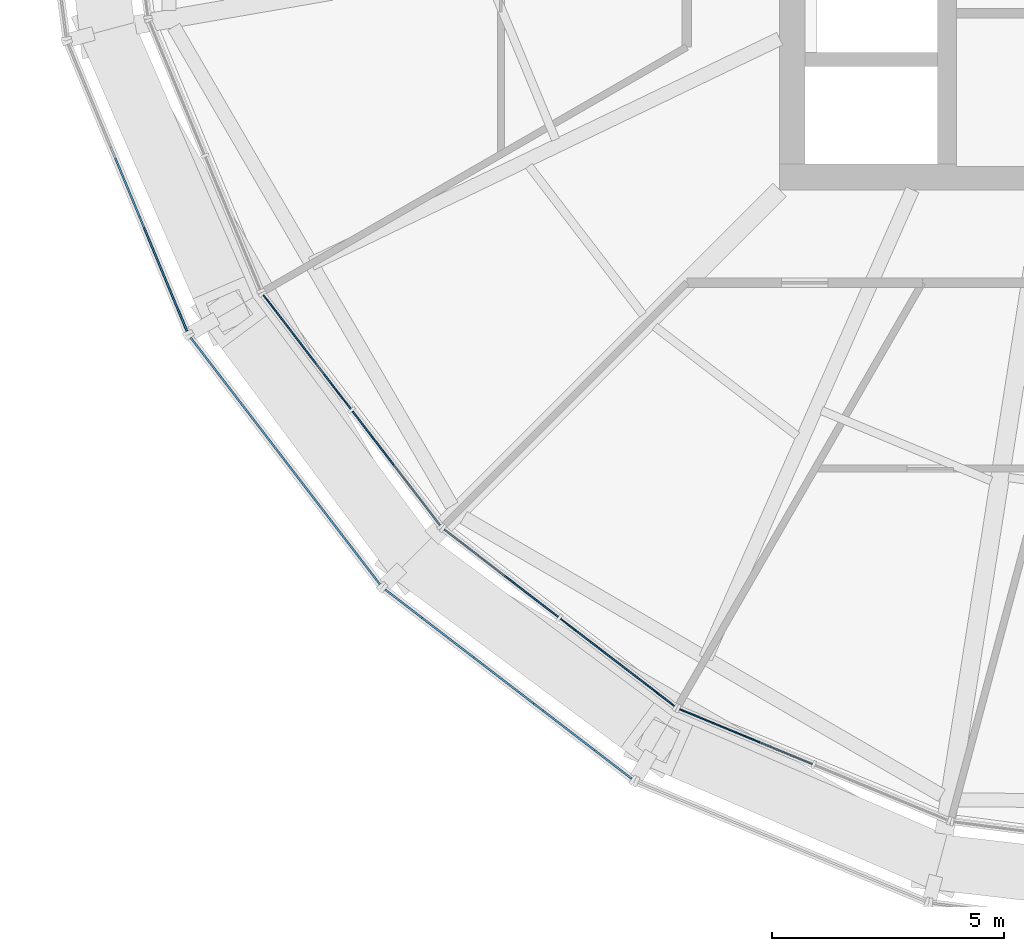
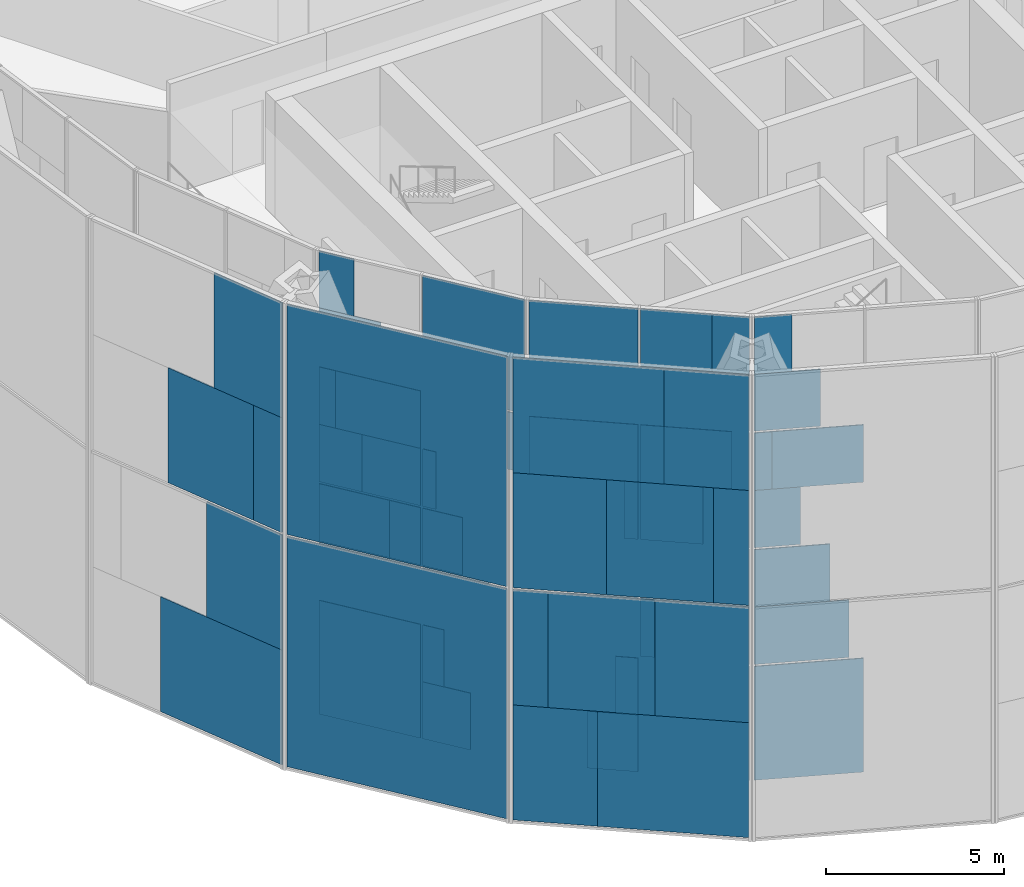
# One storey, part 12 of 28: 63 plates, 6 elements without a shape of their own.
"""IFC4 building model written with IfcOpenShell, lengths in metres."""

from ifc_helpers import new_model, si_unit, direction, frame, origin, origin_2d, place, context, subcontext, project, spatial, rectangle, extrude, material, layer, layer_set, type_object, element, aggregate, save


model = new_model("IFC4")

# Units and contexts
model_context = context("Model", 3, precision=1e-05, world=origin(), true_north=direction((0.0, 1.0)))
body_context = subcontext(model_context, "Body", "Model", "MODEL_VIEW")
ifc_project = project(units=[si_unit("LENGTHUNIT", "METRE"), si_unit("AREAUNIT", "SQUARE_METRE"), si_unit("VOLUMEUNIT", "CUBIC_METRE"), si_unit("PLANEANGLEUNIT", "RADIAN"), si_unit("MASSUNIT", "GRAM", prefix="KILO")], contexts=[model_context])

# Site, building, storey
site_placement = place(None, origin())
site = spatial("IfcSite", under=ifc_project, at=site_placement, CompositionType="ELEMENT")
building_placement = place(site_placement, origin())
building = spatial("IfcBuilding", under=site, at=building_placement, Name="Golbaran Civic Tower", CompositionType="ELEMENT")
storey_placement = place(building_placement, frame((0.0, 0.0, 134.0)))
storey = spatial("IfcBuildingStorey", under=building, at=storey_placement, Name="L32", CompositionType="ELEMENT", Elevation=134.0)

# Curtain wall, plates
ifc_material_1 = material(Name="Aluminium and glass", Category="aluminium")
curtain_wall_type_1 = type_object("IfcCurtainWallType", Name="INNER SKIN CURTAIN WALL", PredefinedType="NOTDEFINED", material=ifc_material_1)
curtain_wall_1_placement = place(storey_placement, origin())
curtain_wall_1 = element("IfcCurtainWall", 1, at=curtain_wall_1_placement, inside=storey, type_object=curtain_wall_type_1, Name="Inner skin L32 facet 15 CW1", ObjectType="INNER SKIN", PredefinedType="USERDEFINED")
ifc_material_2 = material(Name="Clear insulating glass", Category="glass")
ifc_layer_1 = layer(ifc_material_2, 0.031982421875, Name="Clear insulating glass")
ifc_layer_set_1 = layer_set([ifc_layer_1], Name="Clear insulating glass")
plate_type_1 = type_object("IfcPlateType", Name="INNER SKIN CURTAIN WALL GLAZED PANEL", PredefinedType="CURTAIN_PANEL", material=ifc_layer_set_1)
plate_1_placement = place(storey_placement, frame((-20.17236328125, -13.489990234375, 0.06494140625), z_axis=(0.0, 0.0, 1.0), x_axis=(0.60876142905, -0.793353340259, 0.0)))
plate_1 = element("IfcPlate", 2, at=plate_1_placement, type_object=plate_type_1, Name="CW1 panel 1.1", PredefinedType="CURTAIN_PANEL", context=body_context, shape_type="SweptSolid", body=[
    extrude(rectangle(XDim=3.090576171875, YDim=0.031982421875, at=origin_2d()), origin(), (0.0, 0.0, 1.0), 3.902587890625),
])
plate_2_placement = place(storey_placement, frame((-20.294677734375, -13.330810546875, 4.03271484375), z_axis=(0.0, 0.0, 1.0), x_axis=(0.60876142905, -0.793353340259, 0.0)))
plate_2 = element("IfcPlate", 3, at=plate_2_placement, type_object=plate_type_1, Name="CW1 panel 1.2 part 1", PredefinedType="CURTAIN_PANEL", context=body_context, shape_type="SweptSolid", body=[
    extrude(rectangle(XDim=2.68896484375, YDim=0.031982421875, at=origin_2d()), origin(), (0.0, 0.0, 1.0), 1.967529296875),
])
plate_3_placement = place(storey_placement, frame((-20.45849609375, -13.117431640625, 6.0), z_axis=(0.0, 0.0, 1.0), x_axis=(0.60876142905, -0.793353340259, 0.0)))
plate_3 = element("IfcPlate", 4, at=plate_3_placement, type_object=plate_type_1, Name="CW1 panel 1.2 part 3", PredefinedType="CURTAIN_PANEL", context=body_context, shape_type="SweptSolid", body=[
    extrude(rectangle(XDim=2.15087890625, YDim=0.031982421875, at=origin_2d()), origin(), (0.0, 0.0, 1.0), 1.967529296875),
])
plate_4_placement = place(storey_placement, frame((-20.71337890625, -12.784912109375, 8.03271484375), z_axis=(0.0, 0.0, 1.0), x_axis=(0.60876142905, -0.793353340259, 0.0)))
plate_4 = element("IfcPlate", 5, at=plate_4_placement, type_object=plate_type_1, Name="CW1 panel 1.3 part 1", PredefinedType="CURTAIN_PANEL", context=body_context, shape_type="SweptSolid", body=[
    extrude(rectangle(XDim=1.31298828125, YDim=0.031982421875, at=origin_2d()), origin(), (0.0, 0.0, 1.0), 1.967529296875),
])
plate_5_placement = place(storey_placement, frame((-20.960693359375, -12.462890625, 10.0), z_axis=(0.0, 0.0, 1.0), x_axis=(0.60876142905, -0.793353340259, 0.0)))
plate_5 = element("IfcPlate", 6, at=plate_5_placement, type_object=plate_type_1, Name="CW1 panel 1.3 part 3", PredefinedType="CURTAIN_PANEL", context=body_context, shape_type="SweptSolid", body=[
    extrude(rectangle(XDim=0.5009765625, YDim=0.031982421875, at=origin_2d()), origin(), (0.0, 0.0, 1.0), 1.967529296875),
])
plate_6_placement = place(storey_placement, frame((-18.75048828125, -15.34326171875, 0.06494140625), z_axis=(0.0, 0.0, 1.0), x_axis=(0.60876142905, -0.793353340259, 0.0)))
plate_6 = element("IfcPlate", 7, at=plate_6_placement, type_object=plate_type_1, Name="CW1 panel 2.1 part 1", PredefinedType="CURTAIN_PANEL", context=body_context, shape_type="SweptSolid", body=[
    extrude(rectangle(XDim=1.450927734375, YDim=0.031982421875, at=origin_2d()), origin(), (0.0, 0.0, 1.0), 1.951171875),
])
plate_7_placement = place(storey_placement, frame((-18.995361328125, -15.02392578125, 2.016357421875), z_axis=(0.0, 0.0, 1.0), x_axis=(0.60876142905, -0.793353340259, 0.0)))
plate_7 = element("IfcPlate", 8, at=plate_7_placement, type_object=plate_type_1, Name="CW1 panel 2.1 part 3", PredefinedType="CURTAIN_PANEL", context=body_context, shape_type="SweptSolid", body=[
    extrude(rectangle(XDim=0.64599609375, YDim=0.031982421875, at=origin_2d()), origin(), (0.0, 0.0, 1.0), 1.951171875),
])
plate_8_placement = place(storey_placement, frame((-18.25146484375, -15.99365234375, 10.0), z_axis=(0.0, 0.0, 1.0), x_axis=(0.60876142905, -0.793353340259, 0.0)))
plate_8 = element("IfcPlate", 9, at=plate_8_placement, type_object=plate_type_1, Name="CW1 panel 2.3 part 3", PredefinedType="CURTAIN_PANEL", context=body_context, shape_type="SweptSolid", body=[
    extrude(rectangle(XDim=3.090576171875, YDim=0.031982421875, at=origin_2d()), origin(), (0.0, 0.0, 1.0), 1.967529296875),
])
plate_9_placement = place(storey_placement, frame((-18.25146484375, -15.99365234375, 12.0322265625), z_axis=(0.0, 0.0, 1.0), x_axis=(0.60876142905, -0.793353340259, 0.0)))
plate_9 = element("IfcPlate", 10, at=plate_9_placement, type_object=plate_type_1, Name="CW1 panel 2.4", PredefinedType="CURTAIN_PANEL", context=body_context, shape_type="SweptSolid", body=[
    extrude(rectangle(XDim=3.090576171875, YDim=0.031982421875, at=origin_2d()), origin(), (0.0, 0.0, 1.0), 3.902587890625),
])

curtain_wall_2_placement = place(storey_placement, origin())
curtain_wall_2 = element("IfcCurtainWall", 11, at=curtain_wall_2_placement, inside=storey, type_object=curtain_wall_type_1, Name="Inner skin L32 facet 16 CW1", ObjectType="INNER SKIN", PredefinedType="USERDEFINED")
plate_10_placement = place(storey_placement, frame((-15.343505859375, -18.750244140625, 0.06494140625), z_axis=(0.0, 0.0, 1.0), x_axis=(0.793353340259, -0.60876142905, 0.0)))
plate_10 = element("IfcPlate", 12, at=plate_10_placement, type_object=plate_type_1, Name="CW1 panel 1.1 part 2", PredefinedType="CURTAIN_PANEL", context=body_context, shape_type="SweptSolid", body=[
    extrude(rectangle(XDim=1.45166015625, YDim=0.031982421875, at=origin_2d()), origin(), (0.0, 0.0, 1.0), 1.951171875),
])
plate_11_placement = place(storey_placement, frame((-15.024169921875, -18.995361328125, 2.016357421875), z_axis=(0.0, 0.0, 1.0), x_axis=(0.793353340259, -0.60876142905, 0.0)))
plate_11 = element("IfcPlate", 13, at=plate_11_placement, type_object=plate_type_1, Name="CW1 panel 1.1 part 4", PredefinedType="CURTAIN_PANEL", context=body_context, shape_type="SweptSolid", body=[
    extrude(rectangle(XDim=0.646484375, YDim=0.031982421875, at=origin_2d()), origin(), (0.0, 0.0, 1.0), 1.951171875),
])
plate_12_placement = place(storey_placement, frame((-15.99365234375, -18.25146484375, 10.0), z_axis=(0.0, 0.0, 1.0), x_axis=(0.793353340259, -0.60876142905, 0.0)))
plate_12 = element("IfcPlate", 14, at=plate_12_placement, type_object=plate_type_1, Name="CW1 panel 1.3 part 3", PredefinedType="CURTAIN_PANEL", context=body_context, shape_type="SweptSolid", body=[
    extrude(rectangle(XDim=3.090576171875, YDim=0.031982421875, at=origin_2d()), origin(), (0.0, 0.0, 1.0), 1.967529296875),
])
plate_13_placement = place(storey_placement, frame((-15.99365234375, -18.25146484375, 12.0322265625), z_axis=(0.0, 0.0, 1.0), x_axis=(0.793353340259, -0.60876142905, 0.0)))
plate_13 = element("IfcPlate", 15, at=plate_13_placement, type_object=plate_type_1, Name="CW1 panel 1.4", PredefinedType="CURTAIN_PANEL", context=body_context, shape_type="SweptSolid", body=[
    extrude(rectangle(XDim=3.090576171875, YDim=0.031982421875, at=origin_2d()), origin(), (0.0, 0.0, 1.0), 3.902587890625),
])
plate_14_placement = place(storey_placement, frame((-13.489990234375, -20.17236328125, 0.06494140625), z_axis=(0.0, 0.0, 1.0), x_axis=(0.793353340259, -0.60876142905, 0.0)))
plate_14 = element("IfcPlate", 16, at=plate_14_placement, type_object=plate_type_1, Name="CW1 panel 2.1", PredefinedType="CURTAIN_PANEL", context=body_context, shape_type="SweptSolid", body=[
    extrude(rectangle(XDim=3.090576171875, YDim=0.031982421875, at=origin_2d()), origin(), (0.0, 0.0, 1.0), 3.902587890625),
])
plate_15_placement = place(storey_placement, frame((-13.3310546875, -20.29443359375, 4.03271484375), z_axis=(0.0, 0.0, 1.0), x_axis=(0.793353340259, -0.60876142905, 0.0)))
plate_15 = element("IfcPlate", 17, at=plate_15_placement, type_object=plate_type_1, Name="CW1 panel 2.2 part 2", PredefinedType="CURTAIN_PANEL", context=body_context, shape_type="SweptSolid", body=[
    extrude(rectangle(XDim=2.689697265625, YDim=0.031982421875, at=origin_2d()), origin(), (0.0, 0.0, 1.0), 1.967529296875),
])
plate_16_placement = place(storey_placement, frame((-13.11767578125, -20.458251953125, 6.0), z_axis=(0.0, 0.0, 1.0), x_axis=(0.793353340259, -0.60876142905, 0.0)))
plate_16 = element("IfcPlate", 18, at=plate_16_placement, type_object=plate_type_1, Name="CW1 panel 2.2 part 4", PredefinedType="CURTAIN_PANEL", context=body_context, shape_type="SweptSolid", body=[
    extrude(rectangle(XDim=2.151611328125, YDim=0.031982421875, at=origin_2d()), origin(), (0.0, 0.0, 1.0), 1.967529296875),
])
plate_17_placement = place(storey_placement, frame((-12.78466796875, -20.713623046875, 8.03271484375), z_axis=(0.0, 0.0, 1.0), x_axis=(0.793353340259, -0.60876142905, 0.0)))
plate_17 = element("IfcPlate", 19, at=plate_17_placement, type_object=plate_type_1, Name="CW1 panel 2.3 part 2", PredefinedType="CURTAIN_PANEL", context=body_context, shape_type="SweptSolid", body=[
    extrude(rectangle(XDim=1.3125, YDim=0.031982421875, at=origin_2d()), origin(), (0.0, 0.0, 1.0), 1.967529296875),
])
plate_18_placement = place(storey_placement, frame((-12.463134765625, -20.96044921875, 10.0), z_axis=(0.0, 0.0, 1.0), x_axis=(0.793353340259, -0.60876142905, 0.0)))
plate_18 = element("IfcPlate", 20, at=plate_18_placement, type_object=plate_type_1, Name="CW1 panel 2.3 part 4", PredefinedType="CURTAIN_PANEL", context=body_context, shape_type="SweptSolid", body=[
    extrude(rectangle(XDim=0.501708984375, YDim=0.031982421875, at=origin_2d()), origin(), (0.0, 0.0, 1.0), 1.967529296875),
])
plate_19_placement = place(storey_placement, frame((-14.23291015625, -19.602294921875, 12.032470703125), z_axis=(0.0, 0.0, 1.0), x_axis=(0.793353340259, -0.60876142905, 0.0)))
plate_19 = element("IfcPlate", 21, at=plate_19_placement, type_object=plate_type_1, Name="CW1 panel 2.4 part 1", PredefinedType="CURTAIN_PANEL", context=body_context, shape_type="SweptSolid", body=[
    extrude(rectangle(XDim=1.218017578125, YDim=0.031982421875, at=origin_2d()), origin(), (0.0, 0.0, 1.0), 1.951171875),
])
plate_20_placement = place(storey_placement, frame((-13.91357421875, -19.847412109375, 13.98388671875), z_axis=(0.0, 0.0, 1.0), x_axis=(0.793353340259, -0.60876142905, 0.0)))
plate_20 = element("IfcPlate", 22, at=plate_20_placement, type_object=plate_type_1, Name="CW1 panel 2.4 part 3", PredefinedType="CURTAIN_PANEL", context=body_context, shape_type="SweptSolid", body=[
    extrude(rectangle(XDim=2.02294921875, YDim=0.031982421875, at=origin_2d()), origin(), (0.0, 0.0, 1.0), 1.951171875),
])

curtain_wall_3_placement = place(storey_placement, origin())
curtain_wall_3 = element("IfcCurtainWall", 23, at=curtain_wall_3_placement, inside=storey, type_object=curtain_wall_type_1, Name="Inner skin L32 facet 17 CW1", ObjectType="INNER SKIN", PredefinedType="USERDEFINED")
plate_21_placement = place(storey_placement, frame((-10.724853515625, -21.768798828125, 0.06494140625), z_axis=(0.0, 0.0, 1.0), x_axis=(0.923879532485, -0.38268343243, 0.0)))
plate_21 = element("IfcPlate", 24, at=plate_21_placement, type_object=plate_type_1, Name="CW1 panel 1.1", PredefinedType="CURTAIN_PANEL", context=body_context, shape_type="SweptSolid", body=[
    extrude(rectangle(XDim=3.090576171875, YDim=0.031982421875, at=origin_2d()), origin(), (0.0, 0.0, 1.0), 3.902587890625),
])
plate_22_placement = place(storey_placement, frame((-10.910400390625, -21.692138671875, 4.03271484375), z_axis=(0.0, 0.0, 1.0), x_axis=(0.923879532485, -0.38268343243, 0.0)))
plate_22 = element("IfcPlate", 25, at=plate_22_placement, type_object=plate_type_1, Name="CW1 panel 1.2 part 1", PredefinedType="CURTAIN_PANEL", context=body_context, shape_type="SweptSolid", body=[
    extrude(rectangle(XDim=2.68896484375, YDim=0.031982421875, at=origin_2d()), origin(), (0.0, 0.0, 1.0), 1.967529296875),
])
plate_23_placement = place(storey_placement, frame((-11.158935546875, -21.589111328125, 6.0), z_axis=(0.0, 0.0, 1.0), x_axis=(0.923879532485, -0.38268343243, 0.0)))
plate_23 = element("IfcPlate", 26, at=plate_23_placement, type_object=plate_type_1, Name="CW1 panel 1.2 part 3", PredefinedType="CURTAIN_PANEL", context=body_context, shape_type="SweptSolid", body=[
    extrude(rectangle(XDim=2.15087890625, YDim=0.031982421875, at=origin_2d()), origin(), (0.0, 0.0, 1.0), 1.967529296875),
])
plate_24_placement = place(storey_placement, frame((-11.5458984375, -21.4287109375, 8.03271484375), z_axis=(0.0, 0.0, 1.0), x_axis=(0.923879532485, -0.38268343243, 0.0)))
plate_24 = element("IfcPlate", 27, at=plate_24_placement, type_object=plate_type_1, Name="CW1 panel 1.3 part 1", PredefinedType="CURTAIN_PANEL", context=body_context, shape_type="SweptSolid", body=[
    extrude(rectangle(XDim=1.31298828125, YDim=0.031982421875, at=origin_2d()), origin(), (0.0, 0.0, 1.0), 1.967529296875),
])
plate_25_placement = place(storey_placement, frame((-11.9208984375, -21.2734375, 10.0), z_axis=(0.0, 0.0, 1.0), x_axis=(0.923879532485, -0.38268343243, 0.0)))
plate_25 = element("IfcPlate", 28, at=plate_25_placement, type_object=plate_type_1, Name="CW1 panel 1.3 part 3", PredefinedType="CURTAIN_PANEL", context=body_context, shape_type="SweptSolid", body=[
    extrude(rectangle(XDim=0.5009765625, YDim=0.031982421875, at=origin_2d()), origin(), (0.0, 0.0, 1.0), 1.967529296875),
])

# Plate
ifc_material_3 = material(Name="Aluminium faced opaque infill panel", Category="aluminium")
ifc_layer_2 = layer(ifc_material_3, 0.031982421875, Name="Aluminium faced opaque infill panel")
ifc_layer_set_2 = layer_set([ifc_layer_2], Name="Aluminium faced opaque infill panel")
plate_type_2 = type_object("IfcPlateType", Name="INNER SKIN CURTAIN WALL OPAQUE INFILL PANEL", PredefinedType="CURTAIN_PANEL", material=ifc_layer_set_2)
plate_26_placement = place(storey_placement, frame((-19.35400390625, -14.556640625, 4.03271484375), z_axis=(0.0, 0.0, 1.0), x_axis=(0.60876142905, -0.793353340259, 0.0)))
plate_26 = element("IfcPlate", 29, at=plate_26_placement, type_object=plate_type_2, Name="CW1 infill panel 1.2 part 2", PredefinedType="CURTAIN_PANEL", context=body_context, shape_type="SweptSolid", body=[
    extrude(rectangle(XDim=0.401611328125, YDim=0.031982421875, at=origin_2d()), origin(), (0.0, 0.0, 1.0), 1.967529296875),
])

plate_27_placement = place(storey_placement, frame((-19.517578125, -14.34326171875, 6.0), z_axis=(0.0, 0.0, 1.0), x_axis=(0.60876142905, -0.793353340259, 0.0)))
plate_27 = element("IfcPlate", 30, at=plate_27_placement, type_object=plate_type_2, Name="CW1 infill panel 1.2 part 4", PredefinedType="CURTAIN_PANEL", context=body_context, shape_type="SweptSolid", body=[
    extrude(rectangle(XDim=0.939697265625, YDim=0.031982421875, at=origin_2d()), origin(), (0.0, 0.0, 1.0), 1.967529296875),
])

plate_28_placement = place(storey_placement, frame((-19.772705078125, -14.010986328125, 8.03271484375), z_axis=(0.0, 0.0, 1.0), x_axis=(0.60876142905, -0.793353340259, 0.0)))
plate_28 = element("IfcPlate", 31, at=plate_28_placement, type_object=plate_type_2, Name="CW1 infill panel 1.3 part 2", PredefinedType="CURTAIN_PANEL", context=body_context, shape_type="SweptSolid", body=[
    extrude(rectangle(XDim=1.777587890625, YDim=0.031982421875, at=origin_2d()), origin(), (0.0, 0.0, 1.0), 1.967529296875),
])

plate_29_placement = place(storey_placement, frame((-20.019775390625, -13.688720703125, 10.0), z_axis=(0.0, 0.0, 1.0), x_axis=(0.60876142905, -0.793353340259, 0.0)))
plate_29 = element("IfcPlate", 32, at=plate_29_placement, type_object=plate_type_2, Name="CW1 infill panel 1.3 part 4", PredefinedType="CURTAIN_PANEL", context=body_context, shape_type="SweptSolid", body=[
    extrude(rectangle(XDim=2.589599609375, YDim=0.031982421875, at=origin_2d()), origin(), (0.0, 0.0, 1.0), 1.967529296875),
])

plate_30_placement = place(storey_placement, frame((-20.543212890625, -13.006591796875, 12.032470703125), z_axis=(0.0, 0.0, 1.0), x_axis=(0.60876142905, -0.793353340259, 0.0)))
plate_30 = element("IfcPlate", 33, at=plate_30_placement, type_object=plate_type_2, Name="CW1 infill panel 1.4 part 1", PredefinedType="CURTAIN_PANEL", context=body_context, shape_type="SweptSolid", body=[
    extrude(rectangle(XDim=1.8720703125, YDim=0.031982421875, at=origin_2d()), origin(), (0.0, 0.0, 1.0), 1.951171875),
])

plate_31_placement = place(storey_placement, frame((-20.788330078125, -12.687255859375, 13.98388671875), z_axis=(0.0, 0.0, 1.0), x_axis=(0.60876142905, -0.793353340259, 0.0)))
plate_31 = element("IfcPlate", 34, at=plate_31_placement, type_object=plate_type_2, Name="CW1 infill panel 1.4 part 3", PredefinedType="CURTAIN_PANEL", context=body_context, shape_type="SweptSolid", body=[
    extrude(rectangle(XDim=1.06689453125, YDim=0.031982421875, at=origin_2d()), origin(), (0.0, 0.0, 1.0), 1.951171875),
])

plate_32_placement = place(storey_placement, frame((-18.578125, -15.567626953125, 4.03271484375), z_axis=(0.0, 0.0, 1.0), x_axis=(0.60876142905, -0.793353340259, 0.0)))
plate_32 = element("IfcPlate", 35, at=plate_32_placement, type_object=plate_type_2, Name="CW1 infill panel 2.2 part 1", PredefinedType="CURTAIN_PANEL", context=body_context, shape_type="SweptSolid", body=[
    extrude(rectangle(XDim=2.01708984375, YDim=0.031982421875, at=origin_2d()), origin(), (0.0, 0.0, 1.0), 1.967529296875),
])

plate_33_placement = place(storey_placement, frame((-18.824951171875, -15.245849609375, 6.0), z_axis=(0.0, 0.0, 1.0), x_axis=(0.60876142905, -0.793353340259, 0.0)))
plate_33 = element("IfcPlate", 36, at=plate_33_placement, type_object=plate_type_2, Name="CW1 infill panel 2.2 part 3", PredefinedType="CURTAIN_PANEL", context=body_context, shape_type="SweptSolid", body=[
    extrude(rectangle(XDim=1.2060546875, YDim=0.031982421875, at=origin_2d()), origin(), (0.0, 0.0, 1.0), 1.967529296875),
])

plate_34_placement = place(storey_placement, frame((-19.070068359375, -14.9267578125, 8.03271484375), z_axis=(0.0, 0.0, 1.0), x_axis=(0.60876142905, -0.793353340259, 0.0)))
plate_34 = element("IfcPlate", 37, at=plate_34_placement, type_object=plate_type_2, Name="CW1 infill panel 2.3 part 1", PredefinedType="CURTAIN_PANEL", context=body_context, shape_type="SweptSolid", body=[
    extrude(rectangle(XDim=0.40087890625, YDim=0.031982421875, at=origin_2d()), origin(), (0.0, 0.0, 1.0), 1.967529296875),
])

aggregate(curtain_wall_1, [plate_1, plate_2, plate_26, plate_3, plate_27, plate_4, plate_28, plate_5, plate_29, plate_30, plate_31, plate_6, plate_7, plate_32, plate_33, plate_34, plate_8, plate_9])

plate_35_placement = place(storey_placement, frame((-15.56787109375, -18.577880859375, 4.03271484375), z_axis=(0.0, 0.0, 1.0), x_axis=(0.793353340259, -0.60876142905, 0.0)))
plate_35 = element("IfcPlate", 38, at=plate_35_placement, type_object=plate_type_2, Name="CW1 infill panel 1.2 part 2", PredefinedType="CURTAIN_PANEL", context=body_context, shape_type="SweptSolid", body=[
    extrude(rectangle(XDim=2.017578125, YDim=0.031982421875, at=origin_2d()), origin(), (0.0, 0.0, 1.0), 1.967529296875),
])

plate_36_placement = place(storey_placement, frame((-15.245849609375, -18.8251953125, 6.0), z_axis=(0.0, 0.0, 1.0), x_axis=(0.793353340259, -0.60876142905, 0.0)))
plate_36 = element("IfcPlate", 39, at=plate_36_placement, type_object=plate_type_2, Name="CW1 infill panel 1.2 part 4", PredefinedType="CURTAIN_PANEL", context=body_context, shape_type="SweptSolid", body=[
    extrude(rectangle(XDim=1.20556640625, YDim=0.031982421875, at=origin_2d()), origin(), (0.0, 0.0, 1.0), 1.967529296875),
])

plate_37_placement = place(storey_placement, frame((-14.927001953125, -19.06982421875, 8.03271484375), z_axis=(0.0, 0.0, 1.0), x_axis=(0.793353340259, -0.60876142905, 0.0)))
plate_37 = element("IfcPlate", 40, at=plate_37_placement, type_object=plate_type_2, Name="CW1 infill panel 1.3 part 2", PredefinedType="CURTAIN_PANEL", context=body_context, shape_type="SweptSolid", body=[
    extrude(rectangle(XDim=0.401611328125, YDim=0.031982421875, at=origin_2d()), origin(), (0.0, 0.0, 1.0), 1.967529296875),
])

plate_38_placement = place(storey_placement, frame((-14.556884765625, -19.353759765625, 4.03271484375), z_axis=(0.0, 0.0, 1.0), x_axis=(0.793353340259, -0.60876142905, 0.0)))
plate_38 = element("IfcPlate", 41, at=plate_38_placement, type_object=plate_type_2, Name="CW1 infill panel 2.2 part 1", PredefinedType="CURTAIN_PANEL", context=body_context, shape_type="SweptSolid", body=[
    extrude(rectangle(XDim=0.40087890625, YDim=0.031982421875, at=origin_2d()), origin(), (0.0, 0.0, 1.0), 1.967529296875),
])

plate_39_placement = place(storey_placement, frame((-14.343505859375, -19.517578125, 6.0), z_axis=(0.0, 0.0, 1.0), x_axis=(0.793353340259, -0.60876142905, 0.0)))
plate_39 = element("IfcPlate", 42, at=plate_39_placement, type_object=plate_type_2, Name="CW1 infill panel 2.2 part 3", PredefinedType="CURTAIN_PANEL", context=body_context, shape_type="SweptSolid", body=[
    extrude(rectangle(XDim=0.93896484375, YDim=0.031982421875, at=origin_2d()), origin(), (0.0, 0.0, 1.0), 1.967529296875),
])

plate_40_placement = place(storey_placement, frame((-14.0107421875, -19.77294921875, 8.03271484375), z_axis=(0.0, 0.0, 1.0), x_axis=(0.793353340259, -0.60876142905, 0.0)))
plate_40 = element("IfcPlate", 43, at=plate_40_placement, type_object=plate_type_2, Name="CW1 infill panel 2.3 part 1", PredefinedType="CURTAIN_PANEL", context=body_context, shape_type="SweptSolid", body=[
    extrude(rectangle(XDim=1.778076171875, YDim=0.031982421875, at=origin_2d()), origin(), (0.0, 0.0, 1.0), 1.967529296875),
])

plate_41_placement = place(storey_placement, frame((-13.68896484375, -20.019775390625, 10.0), z_axis=(0.0, 0.0, 1.0), x_axis=(0.793353340259, -0.60876142905, 0.0)))
plate_41 = element("IfcPlate", 44, at=plate_41_placement, type_object=plate_type_2, Name="CW1 infill panel 2.3 part 3", PredefinedType="CURTAIN_PANEL", context=body_context, shape_type="SweptSolid", body=[
    extrude(rectangle(XDim=2.589111328125, YDim=0.031982421875, at=origin_2d()), origin(), (0.0, 0.0, 1.0), 1.967529296875),
])

plate_42_placement = place(storey_placement, frame((-13.0068359375, -20.543212890625, 12.032470703125), z_axis=(0.0, 0.0, 1.0), x_axis=(0.793353340259, -0.60876142905, 0.0)))
plate_42 = element("IfcPlate", 45, at=plate_42_placement, type_object=plate_type_2, Name="CW1 infill panel 2.4 part 2", PredefinedType="CURTAIN_PANEL", context=body_context, shape_type="SweptSolid", body=[
    extrude(rectangle(XDim=1.87255859375, YDim=0.031982421875, at=origin_2d()), origin(), (0.0, 0.0, 1.0), 1.951171875),
])

plate_43_placement = place(storey_placement, frame((-12.6875, -20.7880859375, 13.98388671875), z_axis=(0.0, 0.0, 1.0), x_axis=(0.793353340259, -0.60876142905, 0.0)))
plate_43 = element("IfcPlate", 46, at=plate_43_placement, type_object=plate_type_2, Name="CW1 infill panel 2.4 part 4", PredefinedType="CURTAIN_PANEL", context=body_context, shape_type="SweptSolid", body=[
    extrude(rectangle(XDim=1.067626953125, YDim=0.031982421875, at=origin_2d()), origin(), (0.0, 0.0, 1.0), 1.951171875),
])

aggregate(curtain_wall_2, [plate_10, plate_11, plate_35, plate_36, plate_37, plate_12, plate_13, plate_14, plate_38, plate_15, plate_39, plate_16, plate_40, plate_17, plate_41, plate_18, plate_19, plate_42, plate_20, plate_43])

plate_44_placement = place(storey_placement, frame((-10.493408203125, -21.86474609375, 10.0), z_axis=(0.0, 0.0, 1.0), x_axis=(0.923879532485, -0.38268343243, 0.0)))
plate_44 = element("IfcPlate", 47, at=plate_44_placement, type_object=plate_type_2, Name="CW1 infill panel 1.3 part 4", PredefinedType="CURTAIN_PANEL", context=body_context, shape_type="SweptSolid", body=[
    extrude(rectangle(XDim=2.589599609375, YDim=0.031982421875, at=origin_2d()), origin(), (0.0, 0.0, 1.0), 1.967529296875),
])

plate_45_placement = place(storey_placement, frame((-11.28759765625, -21.53564453125, 12.032470703125), z_axis=(0.0, 0.0, 1.0), x_axis=(0.923879532485, -0.38268343243, 0.0)))
plate_45 = element("IfcPlate", 48, at=plate_45_placement, type_object=plate_type_2, Name="CW1 infill panel 1.4 part 1", PredefinedType="CURTAIN_PANEL", context=body_context, shape_type="SweptSolid", body=[
    extrude(rectangle(XDim=1.8720703125, YDim=0.031982421875, at=origin_2d()), origin(), (0.0, 0.0, 1.0), 1.951171875),
])

plate_46_placement = place(storey_placement, frame((-11.65966796875, -21.381591796875, 13.98388671875), z_axis=(0.0, 0.0, 1.0), x_axis=(0.923879532485, -0.38268343243, 0.0)))
plate_46 = element("IfcPlate", 49, at=plate_46_placement, type_object=plate_type_2, Name="CW1 infill panel 1.4 part 3", PredefinedType="CURTAIN_PANEL", context=body_context, shape_type="SweptSolid", body=[
    extrude(rectangle(XDim=1.06689453125, YDim=0.031982421875, at=origin_2d()), origin(), (0.0, 0.0, 1.0), 1.951171875),
])

aggregate(curtain_wall_3, [plate_21, plate_22, plate_23, plate_24, plate_25, plate_44, plate_45, plate_46])

# Curtain wall, plates
curtain_wall_type_2 = type_object("IfcCurtainWallType", Name="OUTER SKIN TERRACOTTA SCREEN", PredefinedType="NOTDEFINED", material=ifc_material_1)
curtain_wall_4_placement = place(storey_placement, origin())
curtain_wall_4 = element("IfcCurtainWall", 50, at=curtain_wall_4_placement, inside=storey, type_object=curtain_wall_type_2, Name="Outer skin L32 facet 14 CW3", ObjectType="OUTER SKIN", PredefinedType="USERDEFINED")
ifc_material_4 = material(Name="Clear laminated glass", Category="glass")
ifc_layer_3 = layer(ifc_material_4, 0.0400390625, Name="Clear laminated glass")
ifc_layer_set_3 = layer_set([ifc_layer_3], Name="Clear laminated glass")
plate_type_3 = type_object("IfcPlateType", Name="OUTER SKIN CLEAR GLASS PANEL", PredefinedType="CURTAIN_PANEL", material=ifc_layer_set_3)
plate_47_placement = place(storey_placement, frame((-23.576904296875, -11.06201171875, -0.6298828125), z_axis=(0.0, 0.0, 1.0), x_axis=(0.382683432397, -0.923879532498, 0.0)))
plate_47 = element("IfcPlate", 51, at=plate_47_placement, type_object=plate_type_3, Name="CW3 panel 1.1 part 2", PredefinedType="CURTAIN_PANEL", context=body_context, shape_type="SweptSolid", body=[
    extrude(rectangle(XDim=4.294921875, YDim=0.0400390625, at=origin_2d()), origin(), (0.0, 0.0, 1.0), 3.93994140625),
])
plate_48_placement = place(storey_placement, frame((-23.265869140625, -11.813232421875, 3.31005859375), z_axis=(0.0, 0.0, 1.0), x_axis=(0.382683432397, -0.923879532498, 0.0)))
plate_48 = element("IfcPlate", 52, at=plate_48_placement, type_object=plate_type_3, Name="CW3 panel 1.1 part 5", PredefinedType="CURTAIN_PANEL", context=body_context, shape_type="SweptSolid", body=[
    extrude(rectangle(XDim=2.6689453125, YDim=0.0400390625, at=origin_2d()), origin(), (0.0, 0.0, 1.0), 3.93994140625),
])
plate_49_placement = place(storey_placement, frame((-22.948486328125, -12.5791015625, 7.330078125), z_axis=(0.0, 0.0, 1.0), x_axis=(0.382683432397, -0.923879532498, 0.0)))
plate_49 = element("IfcPlate", 53, at=plate_49_placement, type_object=plate_type_3, Name="CW3 panel 1.2 part 3", PredefinedType="CURTAIN_PANEL", context=body_context, shape_type="SweptSolid", body=[
    extrude(rectangle(XDim=1.010986328125, YDim=0.0400390625, at=origin_2d()), origin(), (0.0, 0.0, 1.0), 3.93994140625),
])

curtain_wall_5_placement = place(storey_placement, origin())
curtain_wall_5 = element("IfcCurtainWall", 54, at=curtain_wall_5_placement, inside=storey, type_object=curtain_wall_type_2, Name="Outer skin L32 facet 16 CW3", ObjectType="OUTER SKIN", PredefinedType="USERDEFINED")
plate_50_placement = place(storey_placement, frame((-14.88720703125, -21.368408203125, -0.6298828125), z_axis=(0.0, 0.0, 1.0), x_axis=(0.79335334027, -0.608761429036, 0.0)))
plate_50 = element("IfcPlate", 55, at=plate_50_placement, type_object=plate_type_3, Name="CW3 panel 1.1 part 2", PredefinedType="CURTAIN_PANEL", context=body_context, shape_type="SweptSolid", body=[
    extrude(rectangle(XDim=4.294921875, YDim=0.0400390625, at=origin_2d()), origin(), (0.0, 0.0, 1.0), 3.93994140625),
])
plate_51_placement = place(storey_placement, frame((-18.095458984375, -18.90673828125, 3.31005859375), z_axis=(0.0, 0.0, 1.0), x_axis=(0.79335334027, -0.608761429036, 0.0)))
plate_51 = element("IfcPlate", 56, at=plate_51_placement, type_object=plate_type_3, Name="CW3 panel 1.1 part 3", PredefinedType="CURTAIN_PANEL", context=body_context, shape_type="SweptSolid", body=[
    extrude(rectangle(XDim=0.9970703125, YDim=0.0400390625, at=origin_2d()), origin(), (0.0, 0.0, 1.0), 3.93994140625),
])
plate_52_placement = place(storey_placement, frame((-14.2421875, -21.863525390625, 3.31005859375), z_axis=(0.0, 0.0, 1.0), x_axis=(0.79335334027, -0.608761429036, 0.0)))
plate_52 = element("IfcPlate", 57, at=plate_52_placement, type_object=plate_type_3, Name="CW3 panel 1.1 part 5", PredefinedType="CURTAIN_PANEL", context=body_context, shape_type="SweptSolid", body=[
    extrude(rectangle(XDim=2.6689453125, YDim=0.0400390625, at=origin_2d()), origin(), (0.0, 0.0, 1.0), 3.93994140625),
])
plate_53_placement = place(storey_placement, frame((-17.4375, -19.41162109375, 7.330078125), z_axis=(0.0, 0.0, 1.0), x_axis=(0.79335334027, -0.608761429036, 0.0)))
plate_53 = element("IfcPlate", 58, at=plate_53_placement, type_object=plate_type_3, Name="CW3 panel 1.2 part 1", PredefinedType="CURTAIN_PANEL", context=body_context, shape_type="SweptSolid", body=[
    extrude(rectangle(XDim=2.656005859375, YDim=0.0400390625, at=origin_2d()), origin(), (0.0, 0.0, 1.0), 3.93994140625),
])
plate_54_placement = place(storey_placement, frame((-13.58447265625, -22.3681640625, 7.330078125), z_axis=(0.0, 0.0, 1.0), x_axis=(0.79335334027, -0.608761429036, 0.0)))
plate_54 = element("IfcPlate", 59, at=plate_54_placement, type_object=plate_type_3, Name="CW3 panel 1.2 part 3", PredefinedType="CURTAIN_PANEL", context=body_context, shape_type="SweptSolid", body=[
    extrude(rectangle(XDim=1.010986328125, YDim=0.0400390625, at=origin_2d()), origin(), (0.0, 0.0, 1.0), 3.93994140625),
])
plate_55_placement = place(storey_placement, frame((-16.79248046875, -19.906494140625, 11.27001953125), z_axis=(0.0, 0.0, 1.0), x_axis=(0.79335334027, -0.608761429036, 0.0)))
plate_55 = element("IfcPlate", 60, at=plate_55_placement, type_object=plate_type_3, Name="CW3 panel 1.2 part 4", PredefinedType="CURTAIN_PANEL", context=body_context, shape_type="SweptSolid", body=[
    extrude(rectangle(XDim=4.281982421875, YDim=0.0400390625, at=origin_2d()), origin(), (0.0, 0.0, 1.0), 3.93994140625),
])

# Plate
ifc_material_5 = material(Name="Terracotta baguette screen", Category="masonry")
ifc_layer_4 = layer(ifc_material_5, 0.0400390625, Name="Terracotta baguette screen")
ifc_layer_set_4 = layer_set([ifc_layer_4], Name="Terracotta baguette screen")
plate_type_4 = type_object("IfcPlateType", Name="OUTER SKIN TERRACOTTA INFILL PANEL", PredefinedType="CURTAIN_PANEL", material=ifc_layer_set_4)
plate_56_placement = place(storey_placement, frame((-23.720458984375, -10.715576171875, 7.330078125), z_axis=(0.0, 0.0, 1.0), x_axis=(0.382683432397, -0.923879532498, 0.0)))
plate_56 = element("IfcPlate", 61, at=plate_56_placement, type_object=plate_type_4, Name="CW3 infill panel 1.2 part 2", PredefinedType="CURTAIN_PANEL", context=body_context, shape_type="SweptSolid", body=[
    extrude(rectangle(XDim=3.02294921875, YDim=0.0400390625, at=origin_2d()), origin(), (0.0, 0.0, 1.0), 3.93994140625),
])

plate_57_placement = place(storey_placement, frame((-23.2158203125, -11.933837890625, 11.27001953125), z_axis=(0.0, 0.0, 1.0), x_axis=(0.382683432397, -0.923879532498, 0.0)))
plate_57 = element("IfcPlate", 62, at=plate_57_placement, type_object=plate_type_4, Name="CW3 infill panel 1.2 part 5", PredefinedType="CURTAIN_PANEL", context=body_context, shape_type="SweptSolid", body=[
    extrude(rectangle(XDim=2.407958984375, YDim=0.0400390625, at=origin_2d()), origin(), (0.0, 0.0, 1.0), 3.93994140625),
])

aggregate(curtain_wall_4, [plate_47, plate_48, plate_56, plate_49, plate_57])

plate_58_placement = place(storey_placement, frame((-17.541015625, -19.332275390625, -0.6298828125), z_axis=(0.0, 0.0, 1.0), x_axis=(0.79335334027, -0.608761429036, 0.0)))
plate_58 = element("IfcPlate", 63, at=plate_58_placement, type_object=plate_type_4, Name="CW3 infill panel 1.1 part 1", PredefinedType="CURTAIN_PANEL", context=body_context, shape_type="SweptSolid", body=[
    extrude(rectangle(XDim=2.39501953125, YDim=0.0400390625, at=origin_2d()), origin(), (0.0, 0.0, 1.0), 3.93994140625),
])

plate_59_placement = place(storey_placement, frame((-16.50048828125, -20.130615234375, 3.31005859375), z_axis=(0.0, 0.0, 1.0), x_axis=(0.79335334027, -0.608761429036, 0.0)))
plate_59 = element("IfcPlate", 64, at=plate_59_placement, type_object=plate_type_4, Name="CW3 infill panel 1.1 part 4", PredefinedType="CURTAIN_PANEL", context=body_context, shape_type="SweptSolid", body=[
    extrude(rectangle(XDim=3.02392578125, YDim=0.0400390625, at=origin_2d()), origin(), (0.0, 0.0, 1.0), 3.93994140625),
])

plate_60_placement = place(storey_placement, frame((-15.184814453125, -21.14013671875, 7.330078125), z_axis=(0.0, 0.0, 1.0), x_axis=(0.79335334027, -0.608761429036, 0.0)))
plate_60 = element("IfcPlate", 65, at=plate_60_placement, type_object=plate_type_4, Name="CW3 infill panel 1.2 part 2", PredefinedType="CURTAIN_PANEL", context=body_context, shape_type="SweptSolid", body=[
    extrude(rectangle(XDim=3.02294921875, YDim=0.0400390625, at=origin_2d()), origin(), (0.0, 0.0, 1.0), 3.93994140625),
])

plate_61_placement = place(storey_placement, frame((-14.138671875, -21.94287109375, 11.27001953125), z_axis=(0.0, 0.0, 1.0), x_axis=(0.79335334027, -0.608761429036, 0.0)))
plate_61 = element("IfcPlate", 66, at=plate_61_placement, type_object=plate_type_4, Name="CW3 infill panel 1.2 part 5", PredefinedType="CURTAIN_PANEL", context=body_context, shape_type="SweptSolid", body=[
    extrude(rectangle(XDim=2.407958984375, YDim=0.0400390625, at=origin_2d()), origin(), (0.0, 0.0, 1.0), 3.93994140625),
])

aggregate(curtain_wall_5, [plate_58, plate_50, plate_51, plate_59, plate_52, plate_53, plate_60, plate_54, plate_55, plate_61])

# Curtain wall, plates
curtain_wall_6_placement = place(storey_placement, origin())
curtain_wall_6 = element("IfcCurtainWall", 67, at=curtain_wall_6_placement, inside=storey, type_object=curtain_wall_type_2, Name="Outer skin L32 facet 15 CW3", ObjectType="OUTER SKIN", PredefinedType="USERDEFINED")
ifc_layer_5 = layer(ifc_material_5, 0.0400390625, Name="Terracotta baguette screen")
ifc_layer_set_5 = layer_set([ifc_layer_5], Name="Terracotta baguette screen")
plate_type_5 = type_object("IfcPlateType", Name="OUTER SKIN TERRACOTTA SCREEN PANEL", PredefinedType="CURTAIN_PANEL", material=ifc_layer_set_5)
plate_62_placement = place(storey_placement, frame((-20.639404296875, -15.837158203125, -0.6298828125), z_axis=(0.0, 0.0, 1.0), x_axis=(0.608761429036, -0.79335334027, 0.0)))
plate_62 = element("IfcPlate", 68, at=plate_62_placement, type_object=plate_type_5, Name="CW3 terracotta screen panel 1.1", PredefinedType="CURTAIN_PANEL", context=body_context, shape_type="SweptSolid", body=[
    extrude(rectangle(XDim=6.68994140625, YDim=0.0400390625, at=origin_2d()), origin(), (0.0, 0.0, 1.0), 7.8798828125),
])
plate_63_placement = place(storey_placement, frame((-20.639404296875, -15.837158203125, 7.330078125), z_axis=(0.0, 0.0, 1.0), x_axis=(0.608761429036, -0.79335334027, 0.0)))
plate_63 = element("IfcPlate", 69, at=plate_63_placement, type_object=plate_type_5, Name="CW3 terracotta screen panel 1.2", PredefinedType="CURTAIN_PANEL", context=body_context, shape_type="SweptSolid", body=[
    extrude(rectangle(XDim=6.68994140625, YDim=0.0400390625, at=origin_2d()), origin(), (0.0, 0.0, 1.0), 7.8798828125),
])
aggregate(curtain_wall_6, [plate_62, plate_63])

save(model, "model.ifc")
